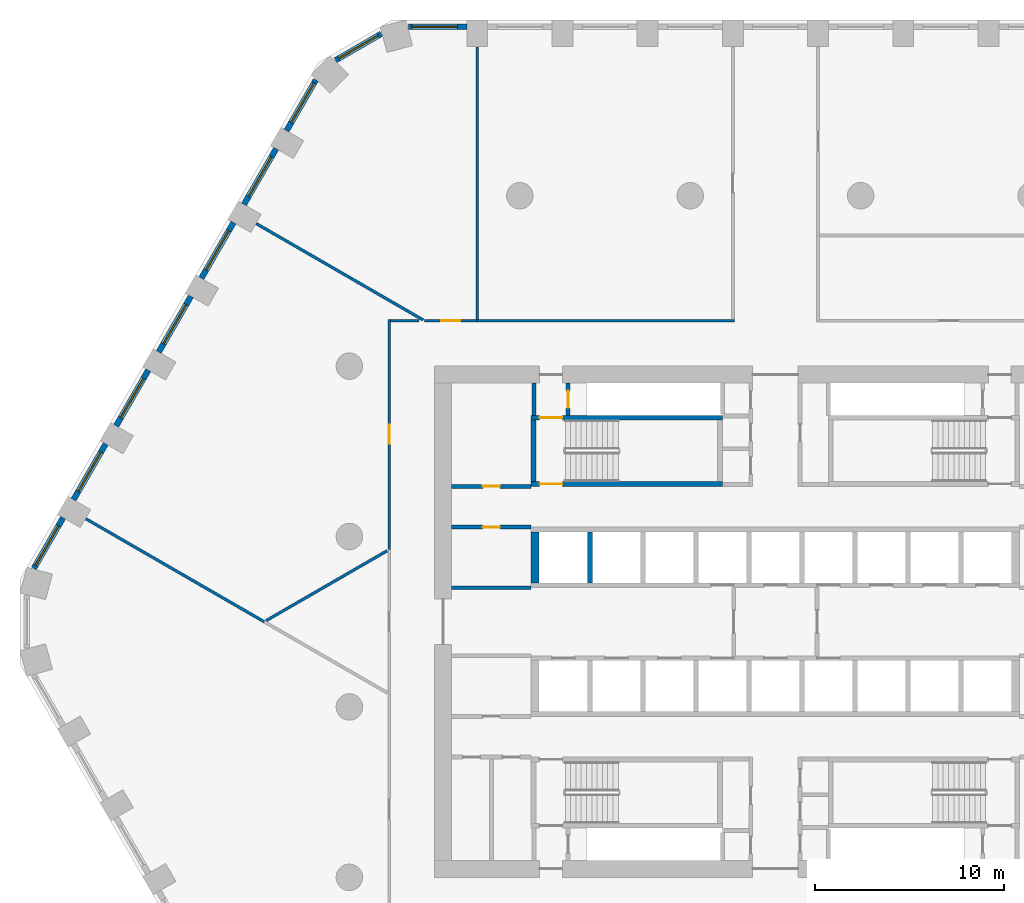
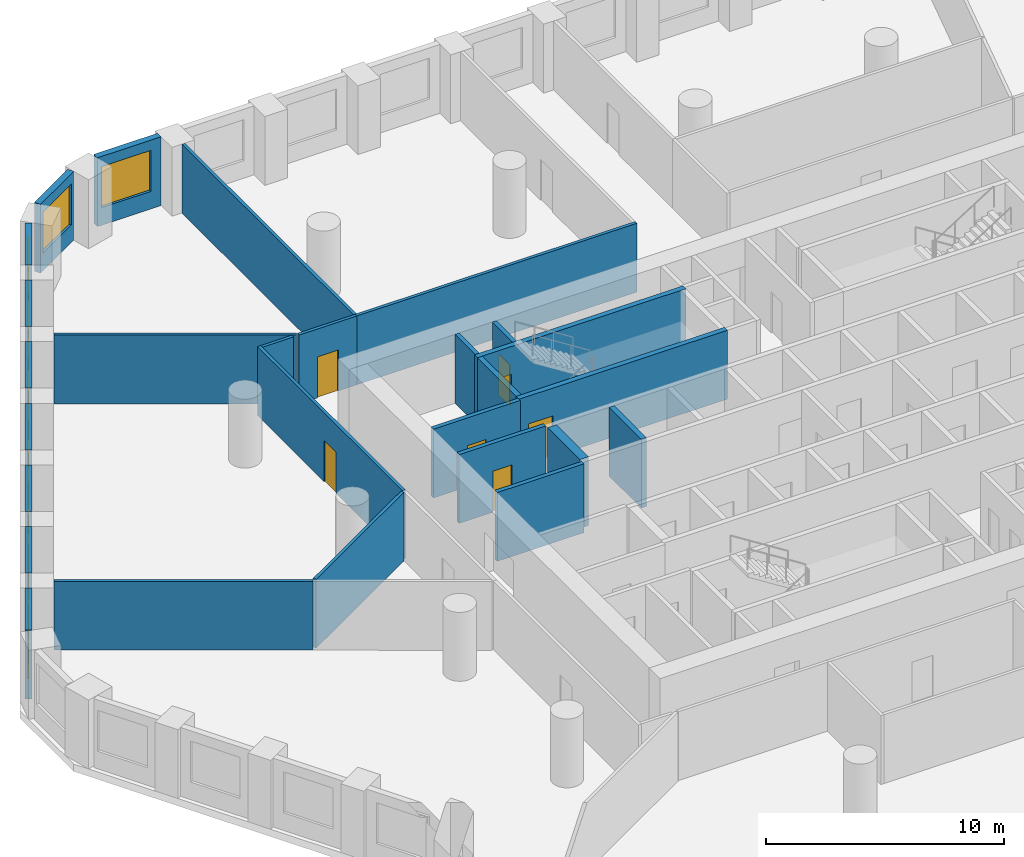
# One storey, part 5 of 10: 27 walls, 9 windows, 7 doors, 16 openings.
"""IFC4 building model written with IfcOpenShell, lengths in metres."""

import ifcopenshell
import ifcopenshell.guid

model = None  # the IFC model being written
_history = None  # IfcOwnerHistory: only IFC2X3 demands one
_inside = {}  # id of a spatial element -> (the spatial element, [elements in it])
_under = {}  # id of a project, library or spatial element -> (it, [spatial elements below it])
_declared = {}  # id of a project -> (the project, [libraries it declares])
_typed = {}  # id of a type object -> (the type object, [elements of that type])
_made_of = {}  # id of a material, layer set ... -> (it, [elements and type objects made of it])


def new_model(schema):
    """Start an empty IFC model of exactly this schema.

    Asked for "IFC4X3", IfcOpenShell would pick the latest addendum, in which some entities
    have other attributes; the version numbers below select the first issue.
    IFC2X3 requires an IfcOwnerHistory on every rooted entity: one is made here for all.
    """
    global model, _history
    if schema == "IFC4X3":
        model = ifcopenshell.file(schema_version=(4, 3, 0, 0))
    else:
        model = ifcopenshell.file(schema=schema)
    _inside.clear()
    _under.clear()
    _declared.clear()
    _typed.clear()
    _made_of.clear()
    _history = None
    if model.schema == "IFC2X3":
        org = make("IfcOrganization", Name="unknown")
        user = make(
            "IfcPersonAndOrganization",
            ThePerson=make("IfcPerson", FamilyName="unknown"),
            TheOrganization=org,
        )
        app = make(
            "IfcApplication",
            ApplicationDeveloper=org,
            Version="unknown",
            ApplicationFullName="unknown",
            ApplicationIdentifier="unknown",
        )
        _history = make(
            "IfcOwnerHistory",
            OwningUser=user,
            OwningApplication=app,
            ChangeAction="ADDED",
            CreationDate=0,
        )
    return model


def make(cls, **values):
    """One entity of the class cls with the attributes given. An attribute that is None is left unset."""
    return model.create_entity(
        cls, **{name: value for name, value in values.items() if value is not None}
    )


def rooted(cls, **values):
    """An entity with a GlobalId (a new one), such as an element, a storey or a relation."""
    return make(cls, GlobalId=ifcopenshell.guid.new(), OwnerHistory=_history, **values)


def si_unit(unit_type, name, prefix=None):
    """IfcSIUnit, for example si_unit("LENGTHUNIT", "METRE", prefix="MILLI")."""
    return make("IfcSIUnit", UnitType=unit_type, Prefix=prefix, Name=name)


def assignment(units):
    """IfcUnitAssignment: the units of a project."""
    return None if units is None else make("IfcUnitAssignment", Units=units)


def point(xyz):
    """IfcCartesianPoint."""
    return None if xyz is None else make("IfcCartesianPoint", Coordinates=xyz)


def direction(xyz):
    """IfcDirection."""
    return None if xyz is None else make("IfcDirection", DirectionRatios=xyz)


def frame(location, z_axis=None, x_axis=None):
    """IfcAxis2Placement3D, a coordinate frame: its origin and axes. An axis left out is left unset."""
    return make(
        "IfcAxis2Placement3D",
        Location=point(location),
        Axis=direction(z_axis),
        RefDirection=direction(x_axis),
    )


def frame_2d(location, x_axis=None):
    """IfcAxis2Placement2D, a coordinate frame in the plane: its origin and x axis."""
    return make(
        "IfcAxis2Placement2D", Location=point(location), RefDirection=direction(x_axis)
    )


def origin():
    """The frame at (0, 0, 0) with its axes left unset."""
    return frame((0.0, 0.0, 0.0))


def place(relative_to, where):
    """IfcLocalPlacement: puts the frame where relative to a parent placement (None: the world)."""
    return make(
        "IfcLocalPlacement", PlacementRelTo=relative_to, RelativePlacement=where
    )


def context(
    kind, dimensions, precision=None, world=None, true_north=None, identifier=None
):
    """IfcGeometricRepresentationContext, for example the 3D "Model" context."""
    return make(
        "IfcGeometricRepresentationContext",
        ContextIdentifier=identifier,
        ContextType=kind,
        CoordinateSpaceDimension=dimensions,
        Precision=precision,
        WorldCoordinateSystem=world,
        TrueNorth=true_north,
    )


def subcontext(parent, identifier, kind, view, scale=None):
    """IfcGeometricRepresentationSubContext, for example "Body" below "Model"."""
    return make(
        "IfcGeometricRepresentationSubContext",
        ContextIdentifier=identifier,
        ContextType=kind,
        ParentContext=parent,
        TargetScale=scale,
        TargetView=view,
    )


def project(units=None, contexts=None):
    """IfcProject with its units and contexts."""
    return rooted(
        "IfcProject",
        Name="project",
        RepresentationContexts=contexts,
        UnitsInContext=assignment(units),
    )


def spatial(cls, under=None, at=None, **own):
    """A site, building, storey or space (cls), placed at a placement, below another one or the project."""
    s = rooted(cls, ObjectPlacement=at, **own)
    if under is not None:
        _under.setdefault(under.id(), (under, []))[1].append(s)
    return s


def polyline(points):
    """IfcPolyline through the points."""
    return make("IfcPolyline", Points=[point(p) for p in points])


def profile(cls, at=None, kind="AREA", **sizes):
    """A parametric profile (cls). Its sizes go by their IFC names, for example OverallWidth=200.0."""
    return make(cls, ProfileType=kind, Position=at, **sizes)


def rectangle(**sizes):
    """IfcRectangleProfileDef."""
    return profile("IfcRectangleProfileDef", **sizes)


def outline(outer, holes=None, kind="AREA"):
    """IfcArbitraryClosedProfileDef: a profile drawn as a closed curve; with holes, ...WithVoids."""
    if holes is None:
        return make("IfcArbitraryClosedProfileDef", ProfileType=kind, OuterCurve=outer)
    return make(
        "IfcArbitraryProfileDefWithVoids",
        ProfileType=kind,
        OuterCurve=outer,
        InnerCurves=holes,
    )


def extrude(swept, where, along, depth):
    """IfcExtrudedAreaSolid: the profile swept, set in the frame where, extruded along a direction by depth."""
    return make(
        "IfcExtrudedAreaSolid",
        SweptArea=swept,
        Position=where,
        ExtrudedDirection=direction(along),
        Depth=depth,
    )


def shape(context_of_items, identifier, shape_type, items):
    """IfcShapeRepresentation: the items that make up one representation, for example the "Body"."""
    return make(
        "IfcShapeRepresentation",
        ContextOfItems=context_of_items,
        RepresentationIdentifier=identifier,
        RepresentationType=shape_type,
        Items=items,
    )


def material(Name=None, Category=None):
    """IfcMaterial."""
    return make("IfcMaterial", Name=Name, Category=Category)


def layer(
    of_material, thickness, ventilated=None, Name=None, Category=None, Priority=None
):
    """IfcMaterialLayer: one layer of a wall or slab, of a material (None: an air gap)."""
    return make(
        "IfcMaterialLayer",
        Material=of_material,
        LayerThickness=thickness,
        IsVentilated=ventilated,
        Name=Name,
        Category=Category,
        Priority=Priority,
    )


def layer_set(layers, Name=None):
    """IfcMaterialLayerSet."""
    return make("IfcMaterialLayerSet", MaterialLayers=layers, LayerSetName=Name)


def made_of(thing, what):
    """Note that an element or type object is made of a material, layer set ...; save() writes the relation."""
    if what is not None:
        _made_of.setdefault(what.id(), (what, []))[1].append(thing)
    return thing


def type_object(cls, material=None, **own):
    """A type object (cls), such as IfcWallType, which elements share."""
    return made_of(rooted(cls, **own), material)


def element(
    cls,
    number,
    at=None,
    inside=None,
    cuts=None,
    type_object=None,
    material=None,
    context=None,
    identifier="Body",
    shape_type=None,
    held_by="IfcProductDefinitionShape",
    body=None,
    shapes=None,
    **own,
):
    """One element of the class cls, such as IfcWall. Its Tag is "e" and its number.

    at: its placement. inside: the storey or other place that contains it. cuts: it is an
    opening in that element (IfcRelVoidsElement). A single representation is given by context,
    identifier, shape_type and body (its items); several are given by shapes. held_by: the class
    of the entity that holds the representations. save() writes the other relations.
    """
    e = rooted(cls, Tag="e%d" % number, ObjectPlacement=at, **own)
    if body is not None:
        shapes = [shape(context, identifier, shape_type, body)]
    if shapes is not None:
        e.Representation = make(held_by, Representations=shapes)
    if inside is not None:
        _inside.setdefault(inside.id(), (inside, []))[1].append(e)
    if cuts is not None:
        rooted(
            "IfcRelVoidsElement", RelatingBuildingElement=cuts, RelatedOpeningElement=e
        )
    if type_object is not None:
        _typed.setdefault(type_object.id(), (type_object, []))[1].append(e)
    return made_of(e, material)


def fill(opening, filler):
    """IfcRelFillsElement: the door or window that sits in an opening."""
    return rooted(
        "IfcRelFillsElement",
        RelatingOpeningElement=opening,
        RelatedBuildingElement=filler,
    )


def aggregate(whole, parts):
    """IfcRelAggregates: a whole, such as a stair, and the parts it consists of."""
    return rooted("IfcRelAggregates", RelatingObject=whole, RelatedObjects=parts)


def save(model, path):
    """Write the relations noted so far, then the file.

    IfcRelAggregates (storeys below a building ...), IfcRelContainedInSpatialStructure (elements
    in a storey), IfcRelDefinesByType, IfcRelAssociatesMaterial and IfcRelDeclares: one each for
    every whole, place, type object, material and project.
    """
    for whole, parts in _under.values():
        aggregate(whole, parts)
    for where, things in _inside.values():
        rooted(
            "IfcRelContainedInSpatialStructure",
            RelatedElements=things,
            RelatingStructure=where,
        )
    for kind, things in _typed.values():
        rooted("IfcRelDefinesByType", RelatedObjects=things, RelatingType=kind)
    for what, things in _made_of.values():
        rooted("IfcRelAssociatesMaterial", RelatedObjects=things, RelatingMaterial=what)
    for by, libraries in _declared.values():
        rooted("IfcRelDeclares", RelatingContext=by, RelatedDefinitions=libraries)
    model.write(path)


model = new_model("IFC4")

# Units and contexts
model_context = context("Model", 3, precision=1e-05, world=origin(), true_north=direction((0.0, 1.0)))
body_context = subcontext(model_context, "Body", "Model", "MODEL_VIEW")
ifc_project = project(units=[si_unit("LENGTHUNIT", "METRE"), si_unit("AREAUNIT", "SQUARE_METRE"), si_unit("VOLUMEUNIT", "CUBIC_METRE"), si_unit("PLANEANGLEUNIT", "RADIAN"), si_unit("MASSUNIT", "GRAM", prefix="KILO")], contexts=[model_context])

# Site, building, storey
site_placement = place(None, origin())
site = spatial("IfcSite", under=ifc_project, at=site_placement, CompositionType="ELEMENT")
building_placement = place(site_placement, origin())
building = spatial("IfcBuilding", under=site, at=building_placement, Name="Dhurran Vertical Campus", CompositionType="ELEMENT")
storey_placement = place(building_placement, frame((0.0, 0.0, 41.699951171875)))
storey = spatial("IfcBuildingStorey", under=building, at=storey_placement, Name="L09", CompositionType="ELEMENT", Elevation=41.699951171875)

# Wall, opening, window
ifc_material_1 = material(Name="Precast concrete C50/60", Category="concrete")
ifc_layer_1 = layer(ifc_material_1, 0.300048828125)
ifc_layer_set_1 = layer_set([ifc_layer_1], Name="Precast concrete C50/60")
wall_type_1 = type_object("IfcWallType", Name="Precast spandrel wall 300", PredefinedType="SOLIDWALL", material=ifc_layer_set_1)
wall_1_placement = place(storey_placement, frame((-16.300537109375, 31.4296875, 0.0), z_axis=(0.0, 0.0, 1.0), x_axis=(-1.0, 0.0, 0.0)))
wall_1 = element("IfcWall", 1, at=wall_1_placement, inside=storey, type_object=wall_type_1, Name="EW1 L09.34", PredefinedType="SOLIDWALL", context=body_context, shape_type="SweptSolid", body=[
    extrude(rectangle(XDim=3.090576171875, YDim=0.300048828125, at=frame_2d((1.54541015625, 0.0))), origin(), (0.0, 0.0, 1.0), 3.525146484375),
])
opening_1_placement = place(wall_1_placement, frame((0.49951171875, 0.0, 0.89990234375)))
opening_1 = element("IfcOpeningElement", 2, at=opening_1_placement, cuts=wall_1, Name="Opening WT1", PredefinedType="OPENING", context=body_context, shape_type="SweptSolid", body=[
    extrude(rectangle(XDim=2.39990234375, YDim=2.10009765625, at=frame_2d((1.199951171875, 1.050048828125))), frame((0.0, 0.159912109375, 0.0), z_axis=(0.0, -1.0, 0.0), x_axis=(1.0, 0.0, 0.0)), (0.0, 0.0, 1.0), 0.320068359375),
])
ifc_material_2 = material(Name="Aluminium frame with solar-control glass", Category="aluminium")
window_type = type_object("IfcWindowType", Name="Punched window 2400 x 2100", PartitioningType="SINGLE_PANEL", PredefinedType="WINDOW", material=ifc_material_2)
window_1_placement = place(opening_1_placement, origin())
window_1 = element("IfcWindow", 3, at=window_1_placement, inside=storey, type_object=window_type, Name="WT1 L09.34", OverallHeight=2.10009765625, OverallWidth=2.39990234375, PartitioningType="SINGLE_PANEL", PredefinedType="WINDOW", context=body_context, shape_type="SweptSolid", body=[
    extrude(rectangle(XDim=2.39990234375, YDim=2.10009765625, at=frame_2d((1.199951171875, 1.050048828125))), frame((0.0, 0.030029296875, 0.0), z_axis=(0.0, -1.0, 0.0), x_axis=(1.0, 0.0, 0.0)), (0.0, 0.0, 1.0), 0.06005859375),
])
fill(opening_1, window_1)

wall_2_placement = place(storey_placement, frame((-20.81884765625, 31.047119140625, 0.0), z_axis=(0.0, 0.0, 1.0), x_axis=(-0.866020456713, -0.500008568482, 0.0)))
wall_2 = element("IfcWall", 4, at=wall_2_placement, inside=storey, type_object=wall_type_1, Name="EW1 L09.35", PredefinedType="SOLIDWALL", context=body_context, shape_type="SweptSolid", body=[
    extrude(rectangle(XDim=2.7822265625, YDim=0.300048828125, at=frame_2d((1.39111328125, 0.0))), origin(), (0.0, 0.0, 1.0), 3.525146484375),
])
opening_2_placement = place(wall_2_placement, frame((0.191162109375, 0.0, 0.89990234375)))
opening_2 = element("IfcOpeningElement", 5, at=opening_2_placement, cuts=wall_2, Name="Opening WT1", PredefinedType="OPENING", context=body_context, shape_type="SweptSolid", body=[
    extrude(rectangle(XDim=2.39990234375, YDim=2.10009765625, at=frame_2d((1.199951171875, 1.050048828125))), frame((0.0, 0.159912109375, 0.0), z_axis=(0.0, -1.0, 0.0), x_axis=(1.0, 0.0, 0.0)), (0.0, 0.0, 1.0), 0.320068359375),
])
window_2_placement = place(opening_2_placement, origin())
window_2 = element("IfcWindow", 6, at=window_2_placement, inside=storey, type_object=window_type, Name="WT1 L09.35", OverallHeight=2.10009765625, OverallWidth=2.39990234375, PartitioningType="SINGLE_PANEL", PredefinedType="WINDOW", context=body_context, shape_type="SweptSolid", body=[
    extrude(rectangle(XDim=2.39990234375, YDim=2.10009765625, at=frame_2d((1.199951171875, 1.050048828125))), frame((0.0, 0.030029296875, 0.0), z_axis=(0.0, -1.0, 0.0), x_axis=(1.0, 0.0, 0.0)), (0.0, 0.0, 1.0), 0.06005859375),
])
fill(opening_2, window_2)

wall_3_placement = place(storey_placement, frame((-24.2734375, 28.611083984375, 0.0), z_axis=(0.0, 0.0, 1.0), x_axis=(-0.499995950774, -0.866027741594, 0.0)))
wall_3 = element("IfcWall", 7, at=wall_3_placement, inside=storey, type_object=wall_type_1, Name="EW1 L09.36", PredefinedType="SOLIDWALL", context=body_context, shape_type="SweptSolid", body=[
    extrude(rectangle(XDim=3.0908203125, YDim=0.300048828125, at=frame_2d((1.54541015625, 0.0))), origin(), (0.0, 0.0, 1.0), 3.525146484375),
])
opening_3_placement = place(wall_3_placement, frame((0.191162109375, 0.0, 0.89990234375)))
opening_3 = element("IfcOpeningElement", 8, at=opening_3_placement, cuts=wall_3, Name="Opening WT1", PredefinedType="OPENING", context=body_context, shape_type="SweptSolid", body=[
    extrude(rectangle(XDim=2.39990234375, YDim=2.10009765625, at=frame_2d((1.199951171875, 1.050048828125))), frame((0.0, 0.159912109375, 0.0), z_axis=(0.0, -1.0, 0.0), x_axis=(1.0, 0.0, 0.0)), (0.0, 0.0, 1.0), 0.320068359375),
])
window_3_placement = place(opening_3_placement, origin())
window_3 = element("IfcWindow", 9, at=window_3_placement, inside=storey, type_object=window_type, Name="WT1 L09.36", OverallHeight=2.10009765625, OverallWidth=2.39990234375, PartitioningType="SINGLE_PANEL", PredefinedType="WINDOW", context=body_context, shape_type="SweptSolid", body=[
    extrude(rectangle(XDim=2.39990234375, YDim=2.10009765625, at=frame_2d((1.199951171875, 1.050048828125))), frame((0.0, 0.030029296875, 0.0), z_axis=(0.0, -1.0, 0.0), x_axis=(1.0, 0.0, 0.0)), (0.0, 0.0, 1.0), 0.06005859375),
])
fill(opening_3, window_3)

wall_4_placement = place(storey_placement, frame((-26.369384765625, 24.98095703125, 0.0), z_axis=(0.0, 0.0, 1.0), x_axis=(-0.499993955907, -0.866028893315, 0.0)))
wall_4 = element("IfcWall", 10, at=wall_4_placement, inside=storey, type_object=wall_type_1, Name="EW1 L09.37", PredefinedType="SOLIDWALL", context=body_context, shape_type="SweptSolid", body=[
    extrude(rectangle(XDim=3.39892578125, YDim=0.300048828125, at=frame_2d((1.699462890625, 0.0))), origin(), (0.0, 0.0, 1.0), 3.525146484375),
])
opening_4_placement = place(wall_4_placement, frame((0.49951171875, 0.0, 0.89990234375)))
opening_4 = element("IfcOpeningElement", 11, at=opening_4_placement, cuts=wall_4, Name="Opening WT1", PredefinedType="OPENING", context=body_context, shape_type="SweptSolid", body=[
    extrude(rectangle(XDim=2.39990234375, YDim=2.10009765625, at=frame_2d((1.199951171875, 1.050048828125))), frame((0.0, 0.159912109375, 0.0), z_axis=(0.0, -1.0, 0.0), x_axis=(1.0, 0.0, 0.0)), (0.0, 0.0, 1.0), 0.320068359375),
])
window_4_placement = place(opening_4_placement, origin())
window_4 = element("IfcWindow", 12, at=window_4_placement, inside=storey, type_object=window_type, Name="WT1 L09.37", OverallHeight=2.10009765625, OverallWidth=2.39990234375, PartitioningType="SINGLE_PANEL", PredefinedType="WINDOW", context=body_context, shape_type="SweptSolid", body=[
    extrude(rectangle(XDim=2.39990234375, YDim=2.10009765625, at=frame_2d((1.199951171875, 1.050048828125))), frame((0.0, 0.030029296875, 0.0), z_axis=(0.0, -1.0, 0.0), x_axis=(1.0, 0.0, 0.0)), (0.0, 0.0, 1.0), 0.06005859375),
])
fill(opening_4, window_4)

wall_5_placement = place(storey_placement, frame((-28.619384765625, 21.083740234375, 0.0), z_axis=(0.0, 0.0, 1.0), x_axis=(-0.499993955907, -0.866028893315, 0.0)))
wall_5 = element("IfcWall", 13, at=wall_5_placement, inside=storey, type_object=wall_type_1, Name="EW1 L09.38", PredefinedType="SOLIDWALL", context=body_context, shape_type="SweptSolid", body=[
    extrude(rectangle(XDim=3.39892578125, YDim=0.300048828125, at=frame_2d((1.699462890625, 0.0))), origin(), (0.0, 0.0, 1.0), 3.525146484375),
])
opening_5_placement = place(wall_5_placement, frame((0.49951171875, 0.0, 0.89990234375)))
opening_5 = element("IfcOpeningElement", 14, at=opening_5_placement, cuts=wall_5, Name="Opening WT1", PredefinedType="OPENING", context=body_context, shape_type="SweptSolid", body=[
    extrude(rectangle(XDim=2.39990234375, YDim=2.10009765625, at=frame_2d((1.199951171875, 1.050048828125))), frame((0.0, 0.159912109375, 0.0), z_axis=(0.0, -1.0, 0.0), x_axis=(1.0, 0.0, 0.0)), (0.0, 0.0, 1.0), 0.320068359375),
])
window_5_placement = place(opening_5_placement, origin())
window_5 = element("IfcWindow", 15, at=window_5_placement, inside=storey, type_object=window_type, Name="WT1 L09.38", OverallHeight=2.10009765625, OverallWidth=2.39990234375, PartitioningType="SINGLE_PANEL", PredefinedType="WINDOW", context=body_context, shape_type="SweptSolid", body=[
    extrude(rectangle(XDim=2.39990234375, YDim=2.10009765625, at=frame_2d((1.199951171875, 1.050048828125))), frame((0.0, 0.030029296875, 0.0), z_axis=(0.0, -1.0, 0.0), x_axis=(1.0, 0.0, 0.0)), (0.0, 0.0, 1.0), 0.06005859375),
])
fill(opening_5, window_5)

wall_6_placement = place(storey_placement, frame((-30.869384765625, 17.186767578125, 0.0), z_axis=(0.0, 0.0, 1.0), x_axis=(-0.499993955907, -0.866028893315, 0.0)))
wall_6 = element("IfcWall", 16, at=wall_6_placement, inside=storey, type_object=wall_type_1, Name="EW1 L09.39", PredefinedType="SOLIDWALL", context=body_context, shape_type="SweptSolid", body=[
    extrude(rectangle(XDim=3.39892578125, YDim=0.300048828125, at=frame_2d((1.699462890625, 0.0))), origin(), (0.0, 0.0, 1.0), 3.525146484375),
])
opening_6_placement = place(wall_6_placement, frame((0.49951171875, 0.0, 0.89990234375)))
opening_6 = element("IfcOpeningElement", 17, at=opening_6_placement, cuts=wall_6, Name="Opening WT1", PredefinedType="OPENING", context=body_context, shape_type="SweptSolid", body=[
    extrude(rectangle(XDim=2.39990234375, YDim=2.10009765625, at=frame_2d((1.199951171875, 1.050048828125))), frame((0.0, 0.159912109375, 0.0), z_axis=(0.0, -1.0, 0.0), x_axis=(1.0, 0.0, 0.0)), (0.0, 0.0, 1.0), 0.320068359375),
])
window_6_placement = place(opening_6_placement, origin())
window_6 = element("IfcWindow", 18, at=window_6_placement, inside=storey, type_object=window_type, Name="WT1 L09.39", OverallHeight=2.10009765625, OverallWidth=2.39990234375, PartitioningType="SINGLE_PANEL", PredefinedType="WINDOW", context=body_context, shape_type="SweptSolid", body=[
    extrude(rectangle(XDim=2.39990234375, YDim=2.10009765625, at=frame_2d((1.199951171875, 1.050048828125))), frame((0.0, 0.030029296875, 0.0), z_axis=(0.0, -1.0, 0.0), x_axis=(1.0, 0.0, 0.0)), (0.0, 0.0, 1.0), 0.06005859375),
])
fill(opening_6, window_6)

wall_7_placement = place(storey_placement, frame((-33.119384765625, 13.28955078125, 0.0), z_axis=(0.0, 0.0, 1.0), x_axis=(-0.499993955907, -0.866028893315, 0.0)))
wall_7 = element("IfcWall", 19, at=wall_7_placement, inside=storey, type_object=wall_type_1, Name="EW1 L09.40", PredefinedType="SOLIDWALL", context=body_context, shape_type="SweptSolid", body=[
    extrude(rectangle(XDim=3.39892578125, YDim=0.300048828125, at=frame_2d((1.699462890625, 0.0))), origin(), (0.0, 0.0, 1.0), 3.525146484375),
])
opening_7_placement = place(wall_7_placement, frame((0.49951171875, 0.0, 0.89990234375)))
opening_7 = element("IfcOpeningElement", 20, at=opening_7_placement, cuts=wall_7, Name="Opening WT1", PredefinedType="OPENING", context=body_context, shape_type="SweptSolid", body=[
    extrude(rectangle(XDim=2.39990234375, YDim=2.10009765625, at=frame_2d((1.199951171875, 1.050048828125))), frame((0.0, 0.159912109375, 0.0), z_axis=(0.0, -1.0, 0.0), x_axis=(1.0, 0.0, 0.0)), (0.0, 0.0, 1.0), 0.320068359375),
])
window_7_placement = place(opening_7_placement, origin())
window_7 = element("IfcWindow", 21, at=window_7_placement, inside=storey, type_object=window_type, Name="WT1 L09.40", OverallHeight=2.10009765625, OverallWidth=2.39990234375, PartitioningType="SINGLE_PANEL", PredefinedType="WINDOW", context=body_context, shape_type="SweptSolid", body=[
    extrude(rectangle(XDim=2.39990234375, YDim=2.10009765625, at=frame_2d((1.199951171875, 1.050048828125))), frame((0.0, 0.030029296875, 0.0), z_axis=(0.0, -1.0, 0.0), x_axis=(1.0, 0.0, 0.0)), (0.0, 0.0, 1.0), 0.06005859375),
])
fill(opening_7, window_7)

wall_8_placement = place(storey_placement, frame((-35.369384765625, 9.392578125, 0.0), z_axis=(0.0, 0.0, 1.0), x_axis=(-0.499993955907, -0.866028893315, 0.0)))
wall_8 = element("IfcWall", 22, at=wall_8_placement, inside=storey, type_object=wall_type_1, Name="EW1 L09.41", PredefinedType="SOLIDWALL", context=body_context, shape_type="SweptSolid", body=[
    extrude(rectangle(XDim=3.39892578125, YDim=0.300048828125, at=frame_2d((1.699462890625, 0.0))), origin(), (0.0, 0.0, 1.0), 3.525146484375),
])
opening_8_placement = place(wall_8_placement, frame((0.49951171875, 0.0, 0.89990234375)))
opening_8 = element("IfcOpeningElement", 23, at=opening_8_placement, cuts=wall_8, Name="Opening WT1", PredefinedType="OPENING", context=body_context, shape_type="SweptSolid", body=[
    extrude(rectangle(XDim=2.39990234375, YDim=2.10009765625, at=frame_2d((1.199951171875, 1.050048828125))), frame((0.0, 0.159912109375, 0.0), z_axis=(0.0, -1.0, 0.0), x_axis=(1.0, 0.0, 0.0)), (0.0, 0.0, 1.0), 0.320068359375),
])
window_8_placement = place(opening_8_placement, origin())
window_8 = element("IfcWindow", 24, at=window_8_placement, inside=storey, type_object=window_type, Name="WT1 L09.41", OverallHeight=2.10009765625, OverallWidth=2.39990234375, PartitioningType="SINGLE_PANEL", PredefinedType="WINDOW", context=body_context, shape_type="SweptSolid", body=[
    extrude(rectangle(XDim=2.39990234375, YDim=2.10009765625, at=frame_2d((1.199951171875, 1.050048828125))), frame((0.0, 0.030029296875, 0.0), z_axis=(0.0, -1.0, 0.0), x_axis=(1.0, 0.0, 0.0)), (0.0, 0.0, 1.0), 0.06005859375),
])
fill(opening_8, window_8)

wall_9_placement = place(storey_placement, frame((-37.619384765625, 5.495361328125, 0.0), z_axis=(0.0, 0.0, 1.0), x_axis=(-0.49997090907, -0.866042198789, 0.0)))
wall_9 = element("IfcWall", 25, at=wall_9_placement, inside=storey, type_object=wall_type_1, Name="EW1 L09.42", PredefinedType="SOLIDWALL", context=body_context, shape_type="SweptSolid", body=[
    extrude(rectangle(XDim=3.090576171875, YDim=0.300048828125, at=frame_2d((1.54541015625, 0.0))), origin(), (0.0, 0.0, 1.0), 3.525146484375),
])
opening_9_placement = place(wall_9_placement, frame((0.49951171875, 0.0, 0.89990234375)))
opening_9 = element("IfcOpeningElement", 26, at=opening_9_placement, cuts=wall_9, Name="Opening WT1", PredefinedType="OPENING", context=body_context, shape_type="SweptSolid", body=[
    extrude(rectangle(XDim=2.39990234375, YDim=2.10009765625, at=frame_2d((1.199951171875, 1.050048828125))), frame((0.0, 0.159912109375, 0.0), z_axis=(0.0, -1.0, 0.0), x_axis=(1.0, 0.0, 0.0)), (0.0, 0.0, 1.0), 0.320068359375),
])
window_9_placement = place(opening_9_placement, origin())
window_9 = element("IfcWindow", 27, at=window_9_placement, inside=storey, type_object=window_type, Name="WT1 L09.42", OverallHeight=2.10009765625, OverallWidth=2.39990234375, PartitioningType="SINGLE_PANEL", PredefinedType="WINDOW", context=body_context, shape_type="SweptSolid", body=[
    extrude(rectangle(XDim=2.39990234375, YDim=2.10009765625, at=frame_2d((1.199951171875, 1.050048828125))), frame((0.0, 0.030029296875, 0.0), z_axis=(0.0, -1.0, 0.0), x_axis=(1.0, 0.0, 0.0)), (0.0, 0.0, 1.0), 0.06005859375),
])
fill(opening_9, window_9)

# Wall
ifc_material_3 = material(Name="Fire-rated masonry blockwork", Category="masonry")
ifc_layer_2 = layer(ifc_material_3, 0.199951171875)
ifc_layer_set_2 = layer_set([ifc_layer_2], Name="Fire-rated masonry blockwork")
wall_type_2 = type_object("IfcWallType", Name="co-FIRE-PARTITION-200", PredefinedType="PARTITIONING", material=ifc_layer_set_2)
wall_10_placement = place(storey_placement, frame((-12.75, 10.89990234375, 0.0), z_axis=(0.0, 0.0, 1.0), x_axis=(0.0, 1.0, 0.0)))
element("IfcWall", 28, at=wall_10_placement, inside=storey, type_object=wall_type_2, Name="Core partition pass-ST1-o L09", PredefinedType="PARTITIONING", context=body_context, shape_type="SweptSolid", body=[
    extrude(rectangle(XDim=1.7001953125, YDim=0.199951171875, at=frame_2d((0.85009765625, 0.0))), origin(), (0.0, 0.0, 1.0), 3.525146484375),
])

# Wall, opening, door
wall_11_placement = place(storey_placement, frame((-10.949951171875, 10.89990234375, 0.0), z_axis=(0.0, 0.0, 1.0), x_axis=(0.0, 1.0, 0.0)))
wall_11 = element("IfcWall", 29, at=wall_11_placement, inside=storey, type_object=wall_type_2, Name="Core partition pass-ST1-i L09", PredefinedType="PARTITIONING", context=body_context, shape_type="SweptSolid", body=[
    extrude(rectangle(XDim=1.7001953125, YDim=0.199951171875, at=frame_2d((0.85009765625, 0.0))), origin(), (0.0, 0.0, 1.0), 3.525146484375),
])
opening_10_placement = place(wall_11_placement, frame((0.39990234375, 0.0, 0.0)))
opening_10 = element("IfcOpeningElement", 30, at=opening_10_placement, cuts=wall_11, Name="Opening T02-C10", PredefinedType="OPENING", context=body_context, shape_type="SweptSolid", body=[
    extrude(rectangle(XDim=0.89990234375, YDim=2.10009765625, at=frame_2d((0.449951171875, 1.050048828125))), frame((0.0, 0.10986328125, 0.0), z_axis=(0.0, -1.0, 0.0), x_axis=(1.0, 0.0, 0.0)), (0.0, 0.0, 1.0), 0.219970703125),
])
ifc_material_4 = material(Name="Fire-rated timber door set", Category="wood")
door_type_1 = type_object("IfcDoorType", Name="co-D-ROOM 900x2100", OperationType="SINGLE_SWING_LEFT", PredefinedType="DOOR", material=ifc_material_4)
door_1_placement = place(opening_10_placement, origin())
door_1 = element("IfcDoor", 31, at=door_1_placement, inside=storey, type_object=door_type_1, Name="Riser room door L09", OperationType="SINGLE_SWING_LEFT", OverallHeight=2.10009765625, OverallWidth=0.89990234375, PredefinedType="DOOR", context=body_context, shape_type="SweptSolid", body=[
    extrude(rectangle(XDim=0.89990234375, YDim=2.10009765625, at=frame_2d((0.449951171875, 1.050048828125))), frame((0.0, 0.02490234375, 0.0), z_axis=(0.0, -1.0, 0.0), x_axis=(1.0, 0.0, 0.0)), (0.0, 0.0, 1.0), 0.050048828125),
])
fill(opening_10, door_1)

wall_12_placement = place(storey_placement, frame((-17.10009765625, 7.14990234375, 0.0), z_axis=(0.0, 0.0, 1.0), x_axis=(1.0, 0.0, 0.0)))
wall_12 = element("IfcWall", 32, at=wall_12_placement, inside=storey, type_object=wall_type_2, Name="Core partition en-NW-w L09", PredefinedType="PARTITIONING", context=body_context, shape_type="SweptSolid", body=[
    extrude(rectangle(XDim=4.2001953125, YDim=0.199951171875, at=frame_2d((2.10009765625, 0.0))), origin(), (0.0, 0.0, 1.0), 3.525146484375),
])
opening_11_placement = place(wall_12_placement, frame((1.64990234375, 0.0, 0.0)))
opening_11 = element("IfcOpeningElement", 33, at=opening_11_placement, cuts=wall_12, Name="Opening T02-C14", PredefinedType="OPENING", context=body_context, shape_type="SweptSolid", body=[
    extrude(rectangle(XDim=0.89990234375, YDim=2.10009765625, at=frame_2d((0.449951171875, 1.050048828125))), frame((0.0, 0.10986328125, 0.0), z_axis=(0.0, -1.0, 0.0), x_axis=(1.0, 0.0, 0.0)), (0.0, 0.0, 1.0), 0.219970703125),
])
door_2_placement = place(opening_11_placement, origin())
door_2 = element("IfcDoor", 34, at=door_2_placement, inside=storey, type_object=door_type_1, Name="Water riser door L09", OperationType="SINGLE_SWING_LEFT", OverallHeight=2.10009765625, OverallWidth=0.89990234375, PredefinedType="DOOR", context=body_context, shape_type="SweptSolid", body=[
    extrude(rectangle(XDim=0.89990234375, YDim=2.10009765625, at=frame_2d((0.449951171875, 1.050048828125))), frame((0.0, 0.02490234375, 0.0), z_axis=(0.0, -1.0, 0.0), x_axis=(1.0, 0.0, 0.0)), (0.0, 0.0, 1.0), 0.050048828125),
])
fill(opening_11, door_2)

wall_13_placement = place(storey_placement, frame((-17.10009765625, 5.0, 0.0), z_axis=(0.0, 0.0, 1.0), x_axis=(1.0, 0.0, 0.0)))
wall_13 = element("IfcWall", 35, at=wall_13_placement, inside=storey, type_object=wall_type_2, Name="Core partition es-NW-w L09", PredefinedType="PARTITIONING", context=body_context, shape_type="SweptSolid", body=[
    extrude(rectangle(XDim=4.2001953125, YDim=0.199951171875, at=frame_2d((2.10009765625, 0.0))), origin(), (0.0, 0.0, 1.0), 3.525146484375),
])
opening_12_placement = place(wall_13_placement, frame((1.64990234375, 0.0, 0.0)))
opening_12 = element("IfcOpeningElement", 36, at=opening_12_placement, cuts=wall_13, Name="Opening T02-C15", PredefinedType="OPENING", context=body_context, shape_type="SweptSolid", body=[
    extrude(rectangle(XDim=0.89990234375, YDim=2.10009765625, at=frame_2d((0.449951171875, 1.050048828125))), frame((0.0, 0.10986328125, 0.0), z_axis=(0.0, -1.0, 0.0), x_axis=(1.0, 0.0, 0.0)), (0.0, 0.0, 1.0), 0.219970703125),
])
door_3_placement = place(opening_12_placement, origin())
door_3 = element("IfcDoor", 37, at=door_3_placement, inside=storey, type_object=door_type_1, Name="Server room door L09", OperationType="SINGLE_SWING_LEFT", OverallHeight=2.10009765625, OverallWidth=0.89990234375, PredefinedType="DOOR", context=body_context, shape_type="SweptSolid", body=[
    extrude(rectangle(XDim=0.89990234375, YDim=2.10009765625, at=frame_2d((0.449951171875, 1.050048828125))), frame((0.0, 0.02490234375, 0.0), z_axis=(0.0, -1.0, 0.0), x_axis=(1.0, 0.0, 0.0)), (0.0, 0.0, 1.0), 0.050048828125),
])
fill(opening_12, door_3)

# Walls
wall_14_placement = place(storey_placement, frame((-17.10009765625, 1.800048828125, 0.0), z_axis=(0.0, 0.0, 1.0), x_axis=(1.0, 0.0, 0.0)))
element("IfcWall", 38, at=wall_14_placement, inside=storey, type_object=wall_type_2, Name="Core partition es-NW-l L09", PredefinedType="PARTITIONING", context=body_context, shape_type="SweptSolid", body=[
    extrude(rectangle(XDim=4.2001953125, YDim=0.199951171875, at=frame_2d((2.10009765625, 0.0))), origin(), (0.0, 0.0, 1.0), 3.525146484375),
])
ifc_material_5 = material(Name="Concrete C50/60", Category="concrete")
ifc_layer_3 = layer(ifc_material_5, 0.25)
ifc_layer_set_3 = layer_set([ifc_layer_3], Name="Concrete C50/60")
wall_type_3 = type_object("IfcWallType", Name="co-SHAFT-MASS-250", PredefinedType="SHEAR", material=ifc_layer_set_3)
wall_15_placement = place(storey_placement, origin())
element("IfcWall", 39, at=wall_15_placement, inside=storey, type_object=wall_type_3, Name="Lift shaft wall N L09 2", PredefinedType="SHEAR", context=body_context, shape_type="SweptSolid", body=[
    extrude(outline(polyline([(-12.89990234375, 2.050048828125), (-12.47509765625, 2.050048828125), (-12.47509765625, 4.75), (-12.89990234375, 4.75), (-12.89990234375, 2.050048828125)])), origin(), (0.0, 0.0, 1.0), 3.525146484375),
])
wall_16_placement = place(storey_placement, origin())
element("IfcWall", 40, at=wall_16_placement, inside=storey, type_object=wall_type_3, Name="Lift shaft wall N L09 3", PredefinedType="SHEAR", context=body_context, shape_type="SweptSolid", body=[
    extrude(outline(polyline([(-9.925048828125, 2.050048828125), (-9.675048828125, 2.050048828125), (-9.675048828125, 4.75), (-9.925048828125, 4.75), (-9.925048828125, 2.050048828125)])), origin(), (0.0, 0.0, 1.0), 3.525146484375),
])

# Wall, opening, door
ifc_material_6 = material(Name="Concrete C40/50", Category="concrete")
ifc_layer_4 = layer(ifc_material_6, 0.25)
ifc_layer_set_4 = layer_set([ifc_layer_4], Name="Concrete C40/50")
wall_type_4 = type_object("IfcWallType", Name="co-STAIR-WALL-250", PredefinedType="SHEAR", material=ifc_layer_set_4)
wall_17_placement = place(storey_placement, frame((-12.89990234375, 7.27490234375, 0.0), z_axis=(0.0, 0.0, 1.0), x_axis=(1.0, 0.0, 0.0)))
wall_17 = element("IfcWall", 41, at=wall_17_placement, inside=storey, type_object=wall_type_4, Name="Stair ST1 enclosure wall L09", PredefinedType="SHEAR", context=body_context, shape_type="SweptSolid", body=[
    extrude(rectangle(XDim=10.099853515625, YDim=0.25, at=frame_2d((5.0498046875, 0.0))), origin(), (0.0, 0.0, 1.0), 3.525146484375),
])
opening_13_placement = place(wall_17_placement, frame((0.449951171875, 0.0, 0.0)))
opening_13 = element("IfcOpeningElement", 42, at=opening_13_placement, cuts=wall_17, Name="Opening SD1", PredefinedType="OPENING", context=body_context, shape_type="SweptSolid", body=[
    extrude(rectangle(XDim=1.199951171875, YDim=2.10009765625, at=frame_2d((0.60009765625, 1.050048828125))), frame((0.0, 0.135009765625, 0.0), z_axis=(0.0, -1.0, 0.0), x_axis=(1.0, 0.0, 0.0)), (0.0, 0.0, 1.0), 0.27001953125),
])
ifc_material_7 = material(Name="Fire-rated steel door set", Category="steel")
door_type_2 = type_object("IfcDoorType", Name="co-D-STAIR 1200x2100", OperationType="SINGLE_SWING_LEFT", PredefinedType="DOOR", material=ifc_material_7)
door_4_placement = place(opening_13_placement, origin())
door_4 = element("IfcDoor", 43, at=door_4_placement, inside=storey, type_object=door_type_2, Name="Stair ST1 door L09", OperationType="SINGLE_SWING_LEFT", OverallHeight=2.10009765625, OverallWidth=1.199951171875, PredefinedType="DOOR", context=body_context, shape_type="SweptSolid", body=[
    extrude(rectangle(XDim=1.199951171875, YDim=2.10009765625, at=frame_2d((0.60009765625, 1.050048828125))), frame((0.0, 0.02490234375, 0.0), z_axis=(0.0, -1.0, 0.0), x_axis=(1.0, 0.0, 0.0)), (0.0, 0.0, 1.0), 0.050048828125),
])
fill(opening_13, door_4)

wall_18_placement = place(storey_placement, frame((-12.89990234375, 10.77490234375, 0.0), z_axis=(0.0, 0.0, 1.0), x_axis=(1.0, 0.0, 0.0)))
wall_18 = element("IfcWall", 44, at=wall_18_placement, inside=storey, type_object=wall_type_4, Name="Stair ST1 enclosure wall L09", PredefinedType="SHEAR", context=body_context, shape_type="SweptSolid", body=[
    extrude(rectangle(XDim=10.099853515625, YDim=0.25, at=frame_2d((5.0498046875, 0.0))), origin(), (0.0, 0.0, 1.0), 3.525146484375),
])
opening_14_placement = place(wall_18_placement, frame((0.449951171875, 0.0, 0.0)))
opening_14 = element("IfcOpeningElement", 45, at=opening_14_placement, cuts=wall_18, Name="Opening XS1", PredefinedType="OPENING", context=body_context, shape_type="SweptSolid", body=[
    extrude(rectangle(XDim=1.199951171875, YDim=2.10009765625, at=frame_2d((0.60009765625, 1.050048828125))), frame((0.0, 0.135009765625, 0.0), z_axis=(0.0, -1.0, 0.0), x_axis=(1.0, 0.0, 0.0)), (0.0, 0.0, 1.0), 0.27001953125),
])
ifc_material_8 = material(Name="Fire-rated steel door set", Category="steel")
door_type_3 = type_object("IfcDoorType", Name="co-D-STAIR-EXIT 1200x2100", OperationType="SINGLE_SWING_RIGHT", PredefinedType="DOOR", material=ifc_material_8)
door_5_placement = place(opening_14_placement, origin())
door_5 = element("IfcDoor", 46, at=door_5_placement, inside=storey, type_object=door_type_3, Name="Stair ST1 discharge door L09", OperationType="SINGLE_SWING_RIGHT", OverallHeight=2.10009765625, OverallWidth=1.199951171875, PredefinedType="DOOR", context=body_context, shape_type="SweptSolid", body=[
    extrude(rectangle(XDim=1.199951171875, YDim=2.10009765625, at=frame_2d((0.60009765625, 1.050048828125))), frame((0.0, 0.02490234375, 0.0), z_axis=(0.0, -1.0, 0.0), x_axis=(1.0, 0.0, 0.0)), (0.0, 0.0, 1.0), 0.050048828125),
])
fill(opening_14, door_5)

# Wall
wall_19_placement = place(storey_placement, frame((-12.77490234375, 7.39990234375, 0.0), z_axis=(0.0, 0.0, 1.0), x_axis=(0.0, 1.0, 0.0)))
element("IfcWall", 47, at=wall_19_placement, inside=storey, type_object=wall_type_4, Name="Stair ST1 enclosure wall L09", PredefinedType="SHEAR", context=body_context, shape_type="SweptSolid", body=[
    extrude(rectangle(XDim=3.25, YDim=0.25, at=frame_2d((1.625, 0.0))), origin(), (0.0, 0.0, 1.0), 3.525146484375),
])

# Wall, opening, door
ifc_material_9 = material(Name="Gypsum board corridor wall on steel studs", Category="steel")
ifc_layer_5 = layer(ifc_material_9, 0.14990234375)
ifc_layer_set_5 = layer_set([ifc_layer_5], Name="Gypsum board corridor wall on steel studs")
wall_type_5 = type_object("IfcWallType", Name="fl-CW-150 corridor wall", PredefinedType="PARTITIONING", material=ifc_layer_set_5)
wall_20_placement = place(storey_placement, frame((-20.39990234375, 15.97509765625, 0.0), z_axis=(0.0, 0.0, 1.0), x_axis=(0.0, -1.0, 0.0)))
wall_20 = element("IfcWall", 48, at=wall_20_placement, inside=storey, type_object=wall_type_5, Name="Partition 09-09", PredefinedType="PARTITIONING", context=body_context, shape_type="SweptSolid", body=[
    extrude(rectangle(XDim=12.1640625, YDim=0.14990234375, at=frame_2d((6.08203125, 0.0))), origin(), (0.0, 0.0, 1.0), 3.525146484375),
])
opening_15_placement = place(wall_20_placement, frame((5.58203125, 0.0, 0.0)))
opening_15 = element("IfcOpeningElement", 49, at=opening_15_placement, cuts=wall_20, Name="Opening T02.02", PredefinedType="OPENING", context=body_context, shape_type="SweptSolid", body=[
    extrude(rectangle(XDim=1.0, YDim=2.10009765625, at=frame_2d((0.5, 1.050048828125))), frame((0.0, 0.0849609375, 0.0), z_axis=(0.0, -1.0, 0.0), x_axis=(1.0, 0.0, 0.0)), (0.0, 0.0, 1.0), 0.169921875),
])
ifc_material_10 = material(Name="Solid-core timber door set, fire-rated", Category="wood")
door_type_4 = type_object("IfcDoorType", Name="fl-D-1000x2100", OperationType="SINGLE_SWING_LEFT", PredefinedType="DOOR", material=ifc_material_10)
door_6_placement = place(opening_15_placement, origin())
door_6 = element("IfcDoor", 50, at=door_6_placement, inside=storey, type_object=door_type_4, Name="Door 09.02", OperationType="SINGLE_SWING_LEFT", OverallHeight=2.10009765625, OverallWidth=1.0, PredefinedType="DOOR", context=body_context, shape_type="SweptSolid", body=[
    extrude(rectangle(XDim=1.0, YDim=2.10009765625, at=frame_2d((0.5, 1.050048828125))), frame((0.0, 0.02490234375, 0.0), z_axis=(0.0, -1.0, 0.0), x_axis=(1.0, 0.0, 0.0)), (0.0, 0.0, 1.0), 0.050048828125),
])
fill(opening_15, door_6)

# Wall
wall_21_placement = place(storey_placement, frame((-18.81494140625, 15.89990234375, 0.0), z_axis=(0.0, 0.0, 1.0), x_axis=(-1.0, 0.0, 0.0)))
element("IfcWall", 51, at=wall_21_placement, inside=storey, type_object=wall_type_5, Name="Partition 09-10", PredefinedType="PARTITIONING", context=body_context, shape_type="SweptSolid", body=[
    extrude(rectangle(XDim=1.510009765625, YDim=0.14990234375, at=frame_2d((0.7548828125, 0.0))), origin(), (0.0, 0.0, 1.0), 3.525146484375),
])

# Wall, opening, door
wall_22_placement = place(storey_placement, frame((-15.75, 15.89990234375, 0.0), z_axis=(0.0, 0.0, 1.0), x_axis=(-1.0, 0.0, 0.0)))
wall_22 = element("IfcWall", 52, at=wall_22_placement, inside=storey, type_object=wall_type_5, Name="Partition 09-12", PredefinedType="PARTITIONING", context=body_context, shape_type="SweptSolid", body=[
    extrude(rectangle(XDim=2.7900390625, YDim=0.14990234375, at=frame_2d((1.39501953125, 0.0))), origin(), (0.0, 0.0, 1.0), 3.525146484375),
])
opening_16_placement = place(wall_22_placement, frame((0.89501953125, 0.0, 0.0)))
opening_16 = element("IfcOpeningElement", 53, at=opening_16_placement, cuts=wall_22, Name="Opening T02.04", PredefinedType="OPENING", context=body_context, shape_type="SweptSolid", body=[
    extrude(rectangle(XDim=1.0, YDim=2.10009765625, at=frame_2d((0.5, 1.050048828125))), frame((0.0, 0.0849609375, 0.0), z_axis=(0.0, -1.0, 0.0), x_axis=(1.0, 0.0, 0.0)), (0.0, 0.0, 1.0), 0.169921875),
])
door_7_placement = place(opening_16_placement, origin())
door_7 = element("IfcDoor", 54, at=door_7_placement, inside=storey, type_object=door_type_4, Name="Door 09.04", OperationType="SINGLE_SWING_LEFT", OverallHeight=2.10009765625, OverallWidth=1.0, PredefinedType="DOOR", context=body_context, shape_type="SweptSolid", body=[
    extrude(rectangle(XDim=1.0, YDim=2.10009765625, at=frame_2d((0.5, 1.050048828125))), frame((0.0, 0.02490234375, 0.0), z_axis=(0.0, -1.0, 0.0), x_axis=(1.0, 0.0, 0.0)), (0.0, 0.0, 1.0), 0.050048828125),
])
fill(opening_16, door_7)

# Walls
wall_23_placement = place(storey_placement, frame((-2.175048828125, 15.89990234375, 0.0), z_axis=(0.0, 0.0, 1.0), x_axis=(-1.0, 0.0, 0.0)))
element("IfcWall", 55, at=wall_23_placement, inside=storey, type_object=wall_type_5, Name="Partition 09-14", PredefinedType="PARTITIONING", context=body_context, shape_type="SweptSolid", body=[
    extrude(rectangle(XDim=13.574951171875, YDim=0.14990234375, at=frame_2d((6.78759765625, 0.0))), origin(), (0.0, 0.0, 1.0), 3.525146484375),
])
ifc_material_11 = material(Name="Gypsum board partition on steel studs", Category="steel")
ifc_layer_6 = layer(ifc_material_11, 0.14990234375)
ifc_layer_set_6 = layer_set([ifc_layer_6], Name="Gypsum board partition on steel studs")
wall_type_6 = type_object("IfcWallType", Name="fl-PW-150 fixed partition", PredefinedType="PARTITIONING", material=ifc_layer_set_6)
wall_24_placement = place(storey_placement, frame((-36.417236328125, 5.437255859375, 0.0), z_axis=(0.0, 0.0, 1.0), x_axis=(0.866016964551, -0.500014616896, 0.0)))
element("IfcWall", 56, at=wall_24_placement, inside=storey, type_object=wall_type_6, Name="Partition 09-01", PredefinedType="PARTITIONING", context=body_context, shape_type="SweptSolid", body=[
    extrude(rectangle(XDim=10.874267578125, YDim=0.14990234375, at=frame_2d((5.43701171875, 0.0))), origin(), (0.0, 0.0, 1.0), 3.525146484375),
])
wall_25_placement = place(storey_placement, frame((-27.4169921875, 21.02587890625, 0.0), z_axis=(0.0, 0.0, 1.0), x_axis=(0.86599299422, -0.500056130812, 0.0)))
element("IfcWall", 57, at=wall_25_placement, inside=storey, type_object=wall_type_6, Name="Partition 09-03", PredefinedType="PARTITIONING", context=body_context, shape_type="SweptSolid", body=[
    extrude(rectangle(XDim=10.175537109375, YDim=0.14990234375, at=frame_2d((5.087890625, 0.0))), origin(), (0.0, 0.0, 1.0), 3.525146484375),
])
wall_26_placement = place(storey_placement, frame((-20.512451171875, 3.74609375, 0.0), z_axis=(0.0, 0.0, 1.0), x_axis=(-0.865993380977, -0.500055461028, 0.0)))
element("IfcWall", 58, at=wall_26_placement, inside=storey, type_object=wall_type_6, Name="Partition 09-05", PredefinedType="PARTITIONING", context=body_context, shape_type="SweptSolid", body=[
    extrude(rectangle(XDim=7.361572265625, YDim=0.14990234375, at=frame_2d((3.6806640625, 0.0))), origin(), (0.0, 0.0, 1.0), 3.525146484375),
])
wall_27_placement = place(storey_placement, frame((-15.75, 30.35986328125, 0.0), z_axis=(0.0, 0.0, 1.0), x_axis=(0.0, -1.0, 0.0)))
element("IfcWall", 59, at=wall_27_placement, inside=storey, type_object=wall_type_6, Name="Partition 09-13", PredefinedType="PARTITIONING", context=body_context, shape_type="SweptSolid", body=[
    extrude(rectangle(XDim=14.384765625, YDim=0.14990234375, at=frame_2d((7.1923828125, 0.0))), origin(), (0.0, 0.0, 1.0), 3.525146484375),
])

save(model, "model.ifc")
